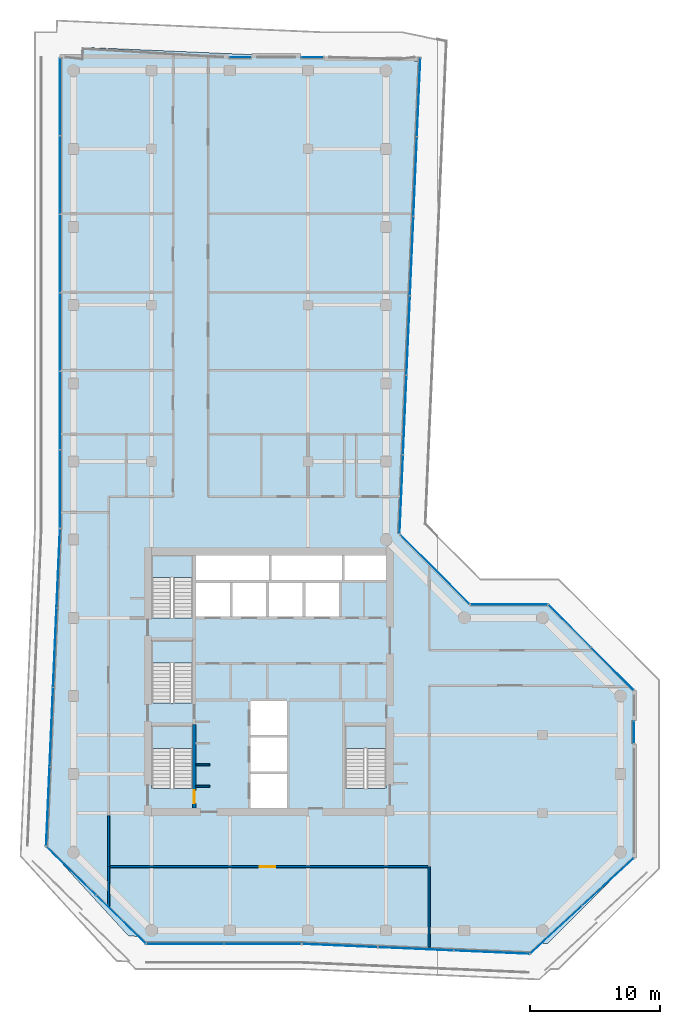
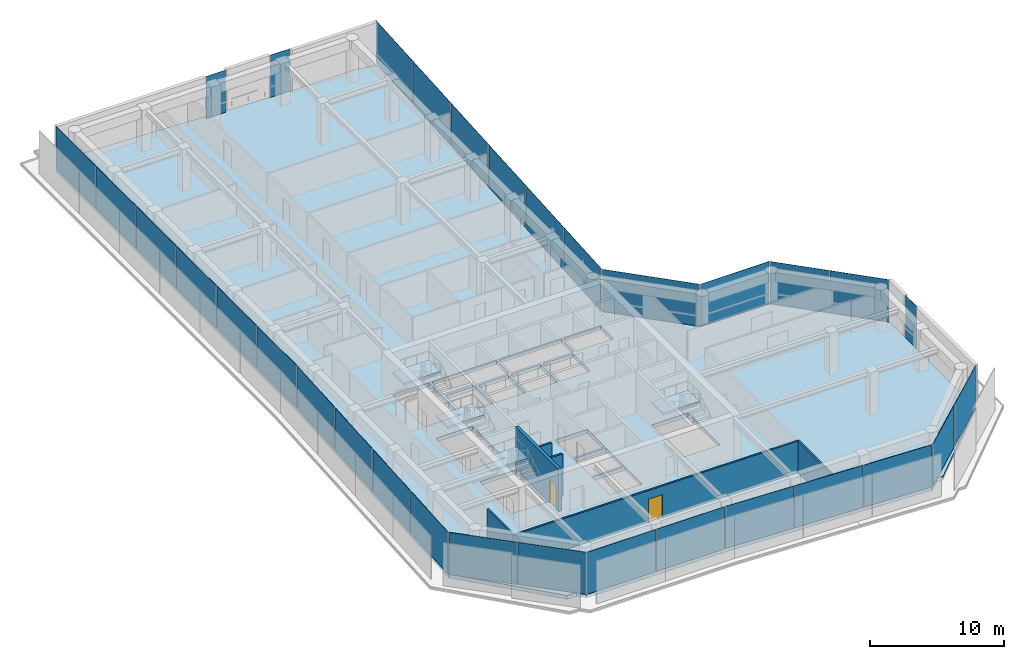
# One storey, part 16 of 21: 32 plates, 7 walls, 5 slabs, 2 doors, 2 openings, 17 elements without a shape of their own.
"""IFC4 building model written with IfcOpenShell, lengths in metres."""

from ifc_helpers import new_model, si_unit, direction, frame, frame_2d, origin, origin_2d, place, context, subcontext, project, spatial, polyline, rectangle, outline, extrude, material, layer, layer_set, type_object, element, fill, aggregate, save


model = new_model("IFC4")

# Units and contexts
model_context = context("Model", 3, precision=1e-05, world=origin(), true_north=direction((0.0, 1.0)))
body_context = subcontext(model_context, "Body", "Model", "MODEL_VIEW")
ifc_project = project(units=[si_unit("LENGTHUNIT", "METRE"), si_unit("AREAUNIT", "SQUARE_METRE"), si_unit("VOLUMEUNIT", "CUBIC_METRE"), si_unit("PLANEANGLEUNIT", "RADIAN"), si_unit("MASSUNIT", "GRAM", prefix="KILO")], contexts=[model_context])

# Site, building, storey
site_placement = place(None, origin())
site = spatial("IfcSite", under=ifc_project, at=site_placement, CompositionType="ELEMENT")
building_placement = place(site_placement, origin())
building = spatial("IfcBuilding", under=site, at=building_placement, Name="Welwitschia Terrace Campus", CompositionType="ELEMENT")
storey_placement = place(building_placement, frame((0.0, 0.0, 159.199951171875)))
storey = spatial("IfcBuildingStorey", under=building, at=storey_placement, Name="L35", CompositionType="ELEMENT", Elevation=159.199951171875)

# Curtain wall, plates
ifc_material_1 = material(Name="Bronze anodised aluminium", Category="aluminium")
ifc_layer_1 = layer(ifc_material_1, 0.1201171875)
ifc_layer_set_1 = layer_set([ifc_layer_1], Name="Bronze anodised aluminium")
curtain_wall_type = type_object("IfcCurtainWallType", Name="Curtain wall CW2 tower 6000", PredefinedType="NOTDEFINED", material=ifc_layer_set_1)
curtain_wall_1_placement = place(storey_placement, origin())
curtain_wall_1 = element("IfcCurtainWall", 1, at=curtain_wall_1_placement, inside=storey, type_object=curtain_wall_type, Name="CW L35.0.0", PredefinedType="NOTDEFINED")
ifc_material_2 = material(Name="Tinted bronze-grey glass", Category="glass")
ifc_layer_2 = layer(ifc_material_2, 0.028076171875)
ifc_layer_set_2 = layer_set([ifc_layer_2], Name="Tinted bronze-grey glass")
plate_type = type_object("IfcPlateType", Name="Glass panel 28 tinted", PredefinedType="CURTAIN_PANEL", material=ifc_layer_set_2)
plate_1_placement = place(storey_placement, frame((-1.1640625, 23.800048828125, 0.0), z_axis=(0.0, 0.0, 1.0), x_axis=(-0.043619387365, -0.999048221582, 0.0)))
plate_1 = element("IfcPlate", 2, at=plate_1_placement, type_object=plate_type, Name="Panel L35.0.0.0", PredefinedType="CURTAIN_PANEL", context=body_context, shape_type="SweptSolid", body=[
    extrude(rectangle(XDim=6.02392578125, YDim=0.028076171875, at=origin_2d()), origin(), (0.0, 0.0, 1.0), 3.85009765625),
])
plate_2_placement = place(storey_placement, frame((-1.429931640625, 17.706787109375, 0.0), z_axis=(0.0, 0.0, 1.0), x_axis=(-0.043619387365, -0.999048221582, 0.0)))
plate_2 = element("IfcPlate", 3, at=plate_2_placement, type_object=plate_type, Name="Panel L35.0.0.1", PredefinedType="CURTAIN_PANEL", context=body_context, shape_type="SweptSolid", body=[
    extrude(rectangle(XDim=6.053955078125, YDim=0.028076171875, at=origin_2d()), origin(), (0.0, 0.0, 1.0), 3.85009765625),
])
plate_3_placement = place(storey_placement, frame((-1.69677734375, 11.5986328125, 0.0), z_axis=(0.0, 0.0, 1.0), x_axis=(-0.043619387365, -0.999048221582, 0.0)))
plate_3 = element("IfcPlate", 4, at=plate_3_placement, type_object=plate_type, Name="Panel L35.0.0.2", PredefinedType="CURTAIN_PANEL", context=body_context, shape_type="SweptSolid", body=[
    extrude(rectangle(XDim=6.053955078125, YDim=0.028076171875, at=origin_2d()), origin(), (0.0, 0.0, 1.0), 3.85009765625),
])
plate_4_placement = place(storey_placement, frame((-1.962646484375, 5.505615234375, 0.0), z_axis=(0.0, 0.0, 1.0), x_axis=(-0.043619387365, -0.999048221582, 0.0)))
plate_4 = element("IfcPlate", 5, at=plate_4_placement, type_object=plate_type, Name="Panel L35.0.0.3", PredefinedType="CURTAIN_PANEL", context=body_context, shape_type="SweptSolid", body=[
    extrude(rectangle(XDim=6.02392578125, YDim=0.028076171875, at=origin_2d()), origin(), (0.0, 0.0, 1.0), 3.85009765625),
])
aggregate(curtain_wall_1, [plate_1, plate_2, plate_3, plate_4])

curtain_wall_2_placement = place(storey_placement, origin())
curtain_wall_2 = element("IfcCurtainWall", 6, at=curtain_wall_2_placement, inside=storey, type_object=curtain_wall_type, Name="CW L35.1.0", PredefinedType="NOTDEFINED")
plate_5_placement = place(storey_placement, frame((-0.16845703125, 0.559326171875, 0.0), z_axis=(0.0, 0.0, 1.0), x_axis=(0.716555959445, -0.697529610112, 0.0)))
plate_5 = element("IfcPlate", 7, at=plate_5_placement, type_object=plate_type, Name="Panel L35.1.0.0", PredefinedType="CURTAIN_PANEL", context=body_context, shape_type="SweptSolid", body=[
    extrude(rectangle(XDim=5.261962890625, YDim=0.028076171875, at=origin_2d()), origin(), (0.0, 0.0, 1.0), 3.85009765625),
])
plate_6_placement = place(storey_placement, frame((3.64501953125, -3.15283203125, 0.0), z_axis=(0.0, 0.0, 1.0), x_axis=(0.716555959445, -0.697529610112, 0.0)))
plate_6 = element("IfcPlate", 8, at=plate_6_placement, type_object=plate_type, Name="Panel L35.1.0.1", PredefinedType="CURTAIN_PANEL", context=body_context, shape_type="SweptSolid", body=[
    extrude(rectangle(XDim=5.261962890625, YDim=0.028076171875, at=origin_2d()), origin(), (0.0, 0.0, 1.0), 3.85009765625),
])
aggregate(curtain_wall_2, [plate_5, plate_6])

curtain_wall_3_placement = place(storey_placement, origin())
curtain_wall_3 = element("IfcCurtainWall", 9, at=curtain_wall_3_placement, inside=storey, type_object=curtain_wall_type, Name="CW L35.2.0", PredefinedType="NOTDEFINED")
plate_7_placement = place(storey_placement, frame((8.576904296875, -5.030029296875, 0.0), z_axis=(0.0, 0.0, 1.0), x_axis=(1.0, 0.0, 0.0)))
plate_7 = element("IfcPlate", 10, at=plate_7_placement, type_object=plate_type, Name="Panel L35.2.0.0", PredefinedType="CURTAIN_PANEL", context=body_context, shape_type="SweptSolid", body=[
    extrude(rectangle(XDim=5.886962890625, YDim=0.028076171875, at=origin_2d()), origin(), (0.0, 0.0, 1.0), 3.85009765625),
])
plate_8_placement = place(storey_placement, frame((14.523681640625, -5.030029296875, 0.0), z_axis=(0.0, 0.0, 1.0), x_axis=(1.0, 0.0, 0.0)))
plate_8 = element("IfcPlate", 11, at=plate_8_placement, type_object=plate_type, Name="Panel L35.2.0.1", PredefinedType="CURTAIN_PANEL", context=body_context, shape_type="SweptSolid", body=[
    extrude(rectangle(XDim=5.886962890625, YDim=0.028076171875, at=origin_2d()), origin(), (0.0, 0.0, 1.0), 3.85009765625),
])
aggregate(curtain_wall_3, [plate_7, plate_8])

curtain_wall_4_placement = place(storey_placement, origin())
curtain_wall_4 = element("IfcCurtainWall", 12, at=curtain_wall_4_placement, inside=storey, type_object=curtain_wall_type, Name="CW L35.3.0", PredefinedType="NOTDEFINED")
plate_9_placement = place(storey_placement, frame((20.46044921875, -5.157958984375, 0.0), z_axis=(0.0, 0.0, 1.0), x_axis=(0.999048221582, -0.043619387365, 0.0)))
plate_9 = element("IfcPlate", 13, at=plate_9_placement, type_object=plate_type, Name="Panel L35.3.0.0", PredefinedType="CURTAIN_PANEL", context=body_context, shape_type="SweptSolid", body=[
    extrude(rectangle(XDim=5.751953125, YDim=0.028076171875, at=origin_2d()), origin(), (0.0, 0.0, 1.0), 3.85009765625),
])
plate_10_placement = place(storey_placement, frame((26.28173828125, -5.412109375, 0.0), z_axis=(0.0, 0.0, 1.0), x_axis=(0.999048221582, -0.043619387365, 0.0)))
plate_10 = element("IfcPlate", 14, at=plate_10_placement, type_object=plate_type, Name="Panel L35.3.0.1", PredefinedType="CURTAIN_PANEL", context=body_context, shape_type="SweptSolid", body=[
    extrude(rectangle(XDim=5.781982421875, YDim=0.028076171875, at=origin_2d()), origin(), (0.0, 0.0, 1.0), 3.85009765625),
])
plate_11_placement = place(storey_placement, frame((32.10302734375, -5.66650390625, 0.0), z_axis=(0.0, 0.0, 1.0), x_axis=(0.999048221582, -0.043619387365, 0.0)))
plate_11 = element("IfcPlate", 15, at=plate_11_placement, type_object=plate_type, Name="Panel L35.3.0.2", PredefinedType="CURTAIN_PANEL", context=body_context, shape_type="SweptSolid", body=[
    extrude(rectangle(XDim=5.751953125, YDim=0.028076171875, at=origin_2d()), origin(), (0.0, 0.0, 1.0), 3.85009765625),
])
aggregate(curtain_wall_4, [plate_9, plate_10, plate_11])

curtain_wall_5_placement = place(storey_placement, origin())
curtain_wall_5 = element("IfcCurtainWall", 16, at=curtain_wall_5_placement, inside=storey, type_object=curtain_wall_type, Name="CW L35.4.0", PredefinedType="NOTDEFINED")
plate_12_placement = place(storey_placement, frame((37.045654296875, -3.9423828125, 0.0), z_axis=(0.0, 0.0, 1.0), x_axis=(0.735310822995, 0.677730030017, 0.0)))
plate_12 = element("IfcPlate", 17, at=plate_12_placement, type_object=plate_type, Name="Panel L35.4.0.0", PredefinedType="CURTAIN_PANEL", context=body_context, shape_type="SweptSolid", body=[
    extrude(rectangle(XDim=5.345703125, YDim=0.028076171875, at=origin_2d()), origin(), (0.0, 0.0, 1.0), 3.85009765625),
])
plate_13_placement = place(storey_placement, frame((41.0205078125, -0.27880859375, 0.0), z_axis=(0.0, 0.0, 1.0), x_axis=(0.735310822995, 0.677730030017, 0.0)))
plate_13 = element("IfcPlate", 18, at=plate_13_placement, type_object=plate_type, Name="Panel L35.4.0.1", PredefinedType="CURTAIN_PANEL", context=body_context, shape_type="SweptSolid", body=[
    extrude(rectangle(XDim=5.345703125, YDim=0.028076171875, at=origin_2d()), origin(), (0.0, 0.0, 1.0), 3.85009765625),
])
aggregate(curtain_wall_5, [plate_12, plate_13])

# Curtain wall, plate
curtain_wall_6_placement = place(storey_placement, origin())
curtain_wall_6 = element("IfcCurtainWall", 19, at=curtain_wall_6_placement, inside=storey, type_object=curtain_wall_type, Name="CW L35.5.S0", PredefinedType="NOTDEFINED")
plate_14_placement = place(storey_placement, frame((43.030029296875, 11.21337890625, 0.0), z_axis=(0.0, 0.0, 1.0), x_axis=(0.0, 1.0, 0.0)))
plate_14 = element("IfcPlate", 20, at=plate_14_placement, type_object=plate_type, Name="Panel L35.5.S0.0", PredefinedType="CURTAIN_PANEL", context=body_context, shape_type="SweptSolid", body=[
    extrude(rectangle(XDim=1.679931640625, YDim=0.028076171875, at=origin_2d()), origin(), (0.0, 0.0, 1.0), 3.85009765625),
])
aggregate(curtain_wall_6, [plate_14])

# Curtain wall, plates
curtain_wall_7_placement = place(storey_placement, origin())
curtain_wall_7 = element("IfcCurtainWall", 21, at=curtain_wall_7_placement, inside=storey, type_object=curtain_wall_type, Name="CW L35.6.0", PredefinedType="NOTDEFINED")
plate_15_placement = place(storey_placement, frame((41.36865234375, 16.088134765625, 0.0), z_axis=(0.0, 0.0, 1.0), x_axis=(-0.707106781187, 0.707106781187, 0.0)))
plate_15 = element("IfcPlate", 22, at=plate_15_placement, type_object=plate_type, Name="Panel L35.6.0.0", PredefinedType="CURTAIN_PANEL", context=body_context, shape_type="SweptSolid", body=[
    extrude(rectangle(XDim=4.579345703125, YDim=0.028076171875, at=origin_2d()), origin(), (0.0, 0.0, 1.0), 3.85009765625),
])
plate_16_placement = place(storey_placement, frame((38.088134765625, 19.36865234375, 0.0), z_axis=(0.0, 0.0, 1.0), x_axis=(-0.707106781187, 0.707106781187, 0.0)))
plate_16 = element("IfcPlate", 23, at=plate_16_placement, type_object=plate_type, Name="Panel L35.6.0.1", PredefinedType="CURTAIN_PANEL", context=body_context, shape_type="SweptSolid", body=[
    extrude(rectangle(XDim=4.579345703125, YDim=0.028076171875, at=origin_2d()), origin(), (0.0, 0.0, 1.0), 3.85009765625),
])
aggregate(curtain_wall_7, [plate_15, plate_16])

# Curtain wall, plate
curtain_wall_8_placement = place(storey_placement, origin())
curtain_wall_8 = element("IfcCurtainWall", 24, at=curtain_wall_8_placement, inside=storey, type_object=curtain_wall_type, Name="CW L35.7.0", PredefinedType="NOTDEFINED")
plate_17_placement = place(storey_placement, frame((33.4267578125, 21.030029296875, 0.0), z_axis=(0.0, 0.0, 1.0), x_axis=(-1.0, 0.0, 0.0)))
plate_17 = element("IfcPlate", 25, at=plate_17_placement, type_object=plate_type, Name="Panel L35.7.0.0", PredefinedType="CURTAIN_PANEL", context=body_context, shape_type="SweptSolid", body=[
    extrude(rectangle(XDim=5.8798828125, YDim=0.028076171875, at=origin_2d()), origin(), (0.0, 0.0, 1.0), 3.85009765625),
])
aggregate(curtain_wall_8, [plate_17])

curtain_wall_9_placement = place(storey_placement, origin())
curtain_wall_9 = element("IfcCurtainWall", 26, at=curtain_wall_9_placement, inside=storey, type_object=curtain_wall_type, Name="CW L35.8.0", PredefinedType="NOTDEFINED")
plate_18_placement = place(storey_placement, frame((27.73095703125, 23.7255859375, 0.0), z_axis=(0.0, 0.0, 1.0), x_axis=(-0.707106781187, 0.707106781187, 0.0)))
plate_18 = element("IfcPlate", 27, at=plate_18_placement, type_object=plate_type, Name="Panel L35.8.0.0", PredefinedType="CURTAIN_PANEL", context=body_context, shape_type="SweptSolid", body=[
    extrude(rectangle(XDim=7.504638671875, YDim=0.028076171875, at=origin_2d()), origin(), (0.0, 0.0, 1.0), 3.85009765625),
])
aggregate(curtain_wall_9, [plate_18])

# Curtain wall, plates
curtain_wall_10_placement = place(storey_placement, origin())
curtain_wall_10 = element("IfcCurtainWall", 28, at=curtain_wall_10_placement, inside=storey, type_object=curtain_wall_type, Name="CW L35.9.0", PredefinedType="NOTDEFINED")
plate_19_placement = place(storey_placement, frame((25.169189453125, 29.487060546875, 0.0), z_axis=(0.0, 0.0, 1.0), x_axis=(0.043619387365, 0.999048221582, 0.0)))
plate_19 = element("IfcPlate", 29, at=plate_19_placement, type_object=plate_type, Name="Panel L35.9.0.0", PredefinedType="CURTAIN_PANEL", context=body_context, shape_type="SweptSolid", body=[
    extrude(rectangle(XDim=6.017333984375, YDim=0.028076171875, at=origin_2d()), origin(), (0.0, 0.0, 1.0), 3.85009765625),
])
plate_20_placement = place(storey_placement, frame((25.434814453125, 35.573486328125, 0.0), z_axis=(0.0, 0.0, 1.0), x_axis=(0.043619387365, 0.999048221582, 0.0)))
plate_20 = element("IfcPlate", 30, at=plate_20_placement, type_object=plate_type, Name="Panel L35.9.0.1", PredefinedType="CURTAIN_PANEL", context=body_context, shape_type="SweptSolid", body=[
    extrude(rectangle(XDim=6.04736328125, YDim=0.028076171875, at=origin_2d()), origin(), (0.0, 0.0, 1.0), 3.85009765625),
])
plate_21_placement = place(storey_placement, frame((25.701171875, 41.675048828125, 0.0), z_axis=(0.0, 0.0, 1.0), x_axis=(0.043619387365, 0.999048221582, 0.0)))
plate_21 = element("IfcPlate", 31, at=plate_21_placement, type_object=plate_type, Name="Panel L35.9.0.2", PredefinedType="CURTAIN_PANEL", context=body_context, shape_type="SweptSolid", body=[
    extrude(rectangle(XDim=6.04736328125, YDim=0.028076171875, at=origin_2d()), origin(), (0.0, 0.0, 1.0), 3.85009765625),
])
plate_22_placement = place(storey_placement, frame((25.9677734375, 47.7763671875, 0.0), z_axis=(0.0, 0.0, 1.0), x_axis=(0.043619387365, 0.999048221582, 0.0)))
plate_22 = element("IfcPlate", 32, at=plate_22_placement, type_object=plate_type, Name="Panel L35.9.0.3", PredefinedType="CURTAIN_PANEL", context=body_context, shape_type="SweptSolid", body=[
    extrude(rectangle(XDim=6.04736328125, YDim=0.028076171875, at=origin_2d()), origin(), (0.0, 0.0, 1.0), 3.85009765625),
])
plate_23_placement = place(storey_placement, frame((26.234130859375, 53.8779296875, 0.0), z_axis=(0.0, 0.0, 1.0), x_axis=(0.043619387365, 0.999048221582, 0.0)))
plate_23 = element("IfcPlate", 33, at=plate_23_placement, type_object=plate_type, Name="Panel L35.9.0.4", PredefinedType="CURTAIN_PANEL", context=body_context, shape_type="SweptSolid", body=[
    extrude(rectangle(XDim=6.04736328125, YDim=0.028076171875, at=origin_2d()), origin(), (0.0, 0.0, 1.0), 3.85009765625),
])
plate_24_placement = place(storey_placement, frame((26.499755859375, 59.96435546875, 0.0), z_axis=(0.0, 0.0, 1.0), x_axis=(0.043619387365, 0.999048221582, 0.0)))
plate_24 = element("IfcPlate", 34, at=plate_24_placement, type_object=plate_type, Name="Panel L35.9.0.5", PredefinedType="CURTAIN_PANEL", context=body_context, shape_type="SweptSolid", body=[
    extrude(rectangle(XDim=6.017333984375, YDim=0.028076171875, at=origin_2d()), origin(), (0.0, 0.0, 1.0), 3.85009765625),
])
aggregate(curtain_wall_10, [plate_19, plate_20, plate_21, plate_22, plate_23, plate_24])

# Curtain wall, plate
curtain_wall_11_placement = place(storey_placement, origin())
curtain_wall_11 = element("IfcCurtainWall", 35, at=curtain_wall_11_placement, inside=storey, type_object=curtain_wall_type, Name="CW L35.10.S0", PredefinedType="NOTDEFINED")
plate_25_placement = place(storey_placement, frame((18.33447265625, 63.030029296875, 0.0), z_axis=(0.0, 0.0, 1.0), x_axis=(-1.0, 0.0, 0.0)))
plate_25 = element("IfcPlate", 36, at=plate_25_placement, type_object=plate_type, Name="Panel L35.10.S0.0", PredefinedType="CURTAIN_PANEL", context=body_context, shape_type="SweptSolid", body=[
    extrude(rectangle(XDim=1.679931640625, YDim=0.028076171875, at=origin_2d()), origin(), (0.0, 0.0, 1.0), 3.85009765625),
])
aggregate(curtain_wall_11, [plate_25])

curtain_wall_12_placement = place(storey_placement, origin())
curtain_wall_12 = element("IfcCurtainWall", 37, at=curtain_wall_12_placement, inside=storey, type_object=curtain_wall_type, Name="CW L35.10.S1", PredefinedType="NOTDEFINED")
plate_26_placement = place(storey_placement, frame((12.8017578125, 63.030029296875, 0.0), z_axis=(0.0, 0.0, 1.0), x_axis=(-1.0, 0.0, 0.0)))
plate_26 = element("IfcPlate", 38, at=plate_26_placement, type_object=plate_type, Name="Panel L35.10.S1.0", PredefinedType="CURTAIN_PANEL", context=body_context, shape_type="SweptSolid", body=[
    extrude(rectangle(XDim=1.679931640625, YDim=0.028076171875, at=origin_2d()), origin(), (0.0, 0.0, 1.0), 3.85009765625),
])
aggregate(curtain_wall_12, [plate_26])

# Curtain wall, plates
curtain_wall_13_placement = place(storey_placement, origin())
curtain_wall_13 = element("IfcCurtainWall", 39, at=curtain_wall_13_placement, inside=storey, type_object=curtain_wall_type, Name="CW L35.11.0", PredefinedType="NOTDEFINED")
plate_27_placement = place(storey_placement, frame((-1.030029296875, 60.001708984375, 0.0), z_axis=(0.0, 0.0, 1.0), x_axis=(0.0, -1.0, 0.0)))
plate_27 = element("IfcPlate", 40, at=plate_27_placement, type_object=plate_type, Name="Panel L35.11.0.0", PredefinedType="CURTAIN_PANEL", context=body_context, shape_type="SweptSolid", body=[
    extrude(rectangle(XDim=5.936767578125, YDim=0.028076171875, at=origin_2d()), origin(), (0.0, 0.0, 1.0), 3.85009765625),
])
plate_28_placement = place(storey_placement, frame((-1.030029296875, 53.98974609375, 0.0), z_axis=(0.0, 0.0, 1.0), x_axis=(0.0, -1.0, 0.0)))
plate_28 = element("IfcPlate", 41, at=plate_28_placement, type_object=plate_type, Name="Panel L35.11.0.1", PredefinedType="CURTAIN_PANEL", context=body_context, shape_type="SweptSolid", body=[
    extrude(rectangle(XDim=5.966796875, YDim=0.028076171875, at=origin_2d()), origin(), (0.0, 0.0, 1.0), 3.85009765625),
])
plate_29_placement = place(storey_placement, frame((-1.030029296875, 47.962890625, 0.0), z_axis=(0.0, 0.0, 1.0), x_axis=(0.0, -1.0, 0.0)))
plate_29 = element("IfcPlate", 42, at=plate_29_placement, type_object=plate_type, Name="Panel L35.11.0.2", PredefinedType="CURTAIN_PANEL", context=body_context, shape_type="SweptSolid", body=[
    extrude(rectangle(XDim=5.966796875, YDim=0.028076171875, at=origin_2d()), origin(), (0.0, 0.0, 1.0), 3.85009765625),
])
plate_30_placement = place(storey_placement, frame((-1.030029296875, 41.93603515625, 0.0), z_axis=(0.0, 0.0, 1.0), x_axis=(0.0, -1.0, 0.0)))
plate_30 = element("IfcPlate", 43, at=plate_30_placement, type_object=plate_type, Name="Panel L35.11.0.3", PredefinedType="CURTAIN_PANEL", context=body_context, shape_type="SweptSolid", body=[
    extrude(rectangle(XDim=5.966796875, YDim=0.028076171875, at=origin_2d()), origin(), (0.0, 0.0, 1.0), 3.85009765625),
])
plate_31_placement = place(storey_placement, frame((-1.030029296875, 35.909423828125, 0.0), z_axis=(0.0, 0.0, 1.0), x_axis=(0.0, -1.0, 0.0)))
plate_31 = element("IfcPlate", 44, at=plate_31_placement, type_object=plate_type, Name="Panel L35.11.0.4", PredefinedType="CURTAIN_PANEL", context=body_context, shape_type="SweptSolid", body=[
    extrude(rectangle(XDim=5.966796875, YDim=0.028076171875, at=origin_2d()), origin(), (0.0, 0.0, 1.0), 3.85009765625),
])
plate_32_placement = place(storey_placement, frame((-1.030029296875, 29.8974609375, 0.0), z_axis=(0.0, 0.0, 1.0), x_axis=(0.0, -1.0, 0.0)))
plate_32 = element("IfcPlate", 45, at=plate_32_placement, type_object=plate_type, Name="Panel L35.11.0.5", PredefinedType="CURTAIN_PANEL", context=body_context, shape_type="SweptSolid", body=[
    extrude(rectangle(XDim=5.936767578125, YDim=0.028076171875, at=origin_2d()), origin(), (0.0, 0.0, 1.0), 3.85009765625),
])
aggregate(curtain_wall_13, [plate_27, plate_28, plate_29, plate_30, plate_31, plate_32])

# Stair, slab
ifc_material_3 = material(Name="Concrete C40/50", Category="concrete")
stair_type = type_object("IfcStairType", Name="Stair 24R 175 W1500", PredefinedType="HALF_TURN_STAIR", material=ifc_material_3)
stair_1_placement = place(storey_placement, origin())
stair_1 = element("IfcStair", 46, at=stair_1_placement, inside=storey, type_object=stair_type, Name="L35 Exit stair S1", PredefinedType="HALF_TURN_STAIR")
ifc_material_4 = material(Name="Concrete C40/50", Category="concrete")
ifc_layer_3 = layer(ifc_material_4, 0.199951171875)
ifc_layer_set_3 = layer_set([ifc_layer_3], Name="Concrete C40/50")
slab_type_1 = type_object("IfcSlabType", Name="Stair landing RC", PredefinedType="LANDING", material=ifc_layer_set_3)
slab_1_placement = place(storey_placement, frame((0.0, 0.0, 1.900146484375)))
slab_1 = element("IfcSlab", 47, at=slab_1_placement, type_object=slab_type_1, Name="S1 landing 1", PredefinedType="LANDING", context=body_context, shape_type="SweptSolid", body=[
    extrude(outline(polyline([(9.14990234375, 9.97998046875), (9.14990234375, 11.699951171875), (6.0, 11.699951171875), (6.0, 9.97998046875), (9.14990234375, 9.97998046875)])), origin(), (0.0, 0.0, 1.0), 0.199951171875),
])
aggregate(stair_1, [slab_1])

stair_2_placement = place(storey_placement, origin())
stair_2 = element("IfcStair", 48, at=stair_2_placement, inside=storey, type_object=stair_type, Name="L35 Exit stair S3", PredefinedType="HALF_TURN_STAIR")
slab_2_placement = place(storey_placement, frame((0.0, 0.0, 1.900146484375)))
slab_2 = element("IfcSlab", 49, at=slab_2_placement, type_object=slab_type_1, Name="S3 landing 1", PredefinedType="LANDING", context=body_context, shape_type="SweptSolid", body=[
    extrude(outline(polyline([(9.14990234375, 16.530029296875), (9.14990234375, 18.25), (6.0, 18.25), (6.0, 16.530029296875), (9.14990234375, 16.530029296875)])), origin(), (0.0, 0.0, 1.0), 0.199951171875),
])
aggregate(stair_2, [slab_2])

stair_3_placement = place(storey_placement, origin())
stair_3 = element("IfcStair", 50, at=stair_3_placement, inside=storey, type_object=stair_type, Name="L35 Exit stair S4", PredefinedType="HALF_TURN_STAIR")
slab_3_placement = place(storey_placement, frame((0.0, 0.0, 1.900146484375)))
slab_3 = element("IfcSlab", 51, at=slab_3_placement, type_object=slab_type_1, Name="S4 landing 1", PredefinedType="LANDING", context=body_context, shape_type="SweptSolid", body=[
    extrude(outline(polyline([(9.14990234375, 23.080078125), (9.14990234375, 24.800048828125), (6.0, 24.800048828125), (6.0, 23.080078125), (9.14990234375, 23.080078125)])), origin(), (0.0, 0.0, 1.0), 0.199951171875),
])
aggregate(stair_3, [slab_3])

stair_4_placement = place(storey_placement, origin())
stair_4 = element("IfcStair", 52, at=stair_4_placement, inside=storey, type_object=stair_type, Name="L35 Exit stair S2", PredefinedType="HALF_TURN_STAIR")
slab_4_placement = place(storey_placement, frame((0.0, 0.0, 1.900146484375)))
slab_4 = element("IfcSlab", 53, at=slab_4_placement, type_object=slab_type_1, Name="S2 landing 1", PredefinedType="LANDING", context=body_context, shape_type="SweptSolid", body=[
    extrude(outline(polyline([(24.0, 9.97998046875), (24.0, 11.699951171875), (20.85009765625, 11.699951171875), (20.85009765625, 9.97998046875), (24.0, 9.97998046875)])), origin(), (0.0, 0.0, 1.0), 0.199951171875),
])
aggregate(stair_4, [slab_4])

# Slab
ifc_material_5 = material(Name="Concrete C40/50", Category="concrete")
ifc_layer_4 = layer(ifc_material_5, 0.35009765625)
ifc_layer_set_4 = layer_set([ifc_layer_4], Name="Concrete C40/50")
slab_type_2 = type_object("IfcSlabType", Name="Suspended floor slab 350", PredefinedType="FLOOR", material=ifc_layer_set_4)
slab_5_placement = place(storey_placement, frame((0.0, 0.0, -0.349853515625)))
element("IfcSlab", 54, at=slab_5_placement, inside=storey, type_object=slab_type_2, Name="Floor slab L35", PredefinedType="FLOOR", context=body_context, shape_type="SweptSolid", body=[
    extrude(outline(polyline([(0.57763671875, 63.0), (0.612548828125, 63.80322265625), (19.01171875, 63.0), (25.0, 63.0), (26.587890625, 62.669189453125), (25.004638671875, 26.409423828125), (30.414306640625, 21.0), (36.414306640625, 21.0), (43.0, 14.414306640625), (43.0, 1.585693359375), (36.414306640625, -5.0), (35.85888671875, -5.0), (35.025146484375, -5.763916015625), (17.52783203125, -5.0), (5.585693359375, -5.0), (5.04052734375, -4.454833984375), (4.22607421875, -4.419189453125), (-2.066162109375, 2.447509765625), (-1.0, 26.868408203125), (-1.0, 63.0), (0.57763671875, 63.0)]), holes=[polyline([(13.60009765625, 8.0), (13.60009765625, 5.39990234375), (16.39990234375, 5.39990234375), (16.39990234375, 8.0), (13.60009765625, 8.0)]), polyline([(9.14990234375, 11.699951171875), (6.0, 11.699951171875), (6.0, 6.902099609375), (9.14990234375, 6.902099609375), (9.14990234375, 11.699951171875)]), polyline([(9.14990234375, 18.25), (6.0, 18.25), (6.0, 13.451904296875), (9.14990234375, 13.451904296875), (9.14990234375, 18.25)]), polyline([(12.0, 22.699951171875), (9.39990234375, 22.699951171875), (9.39990234375, 20.10009765625), (12.0, 20.10009765625), (12.0, 22.699951171875)]), polyline([(14.800048828125, 22.699951171875), (12.199951171875, 22.699951171875), (12.199951171875, 20.10009765625), (14.800048828125, 20.10009765625), (14.800048828125, 22.699951171875)]), polyline([(9.14990234375, 24.800048828125), (6.0, 24.800048828125), (6.0, 20.001953125), (9.14990234375, 20.001953125), (9.14990234375, 24.800048828125)]), polyline([(15.0, 24.800048828125), (9.39990234375, 24.800048828125), (9.39990234375, 22.89990234375), (15.0, 22.89990234375), (15.0, 24.800048828125)]), polyline([(20.85009765625, 11.699951171875), (20.85009765625, 6.902099609375), (24.0, 6.902099609375), (24.0, 11.699951171875), (20.85009765625, 11.699951171875)]), polyline([(16.39990234375, 10.800048828125), (13.60009765625, 10.800048828125), (13.60009765625, 8.199951171875), (16.39990234375, 8.199951171875), (16.39990234375, 10.800048828125)]), polyline([(16.39990234375, 13.60009765625), (13.60009765625, 13.60009765625), (13.60009765625, 11.0), (16.39990234375, 11.0), (16.39990234375, 13.60009765625)]), polyline([(17.60009765625, 22.699951171875), (15.0, 22.699951171875), (15.0, 20.10009765625), (17.60009765625, 20.10009765625), (17.60009765625, 22.699951171875)]), polyline([(20.39990234375, 22.699951171875), (17.800048828125, 22.699951171875), (17.800048828125, 20.10009765625), (20.39990234375, 20.10009765625), (20.39990234375, 22.699951171875)]), polyline([(20.60009765625, 24.800048828125), (15.199951171875, 24.800048828125), (15.199951171875, 22.89990234375), (20.60009765625, 22.89990234375), (20.60009765625, 24.800048828125)]), polyline([(24.0, 24.800048828125), (20.800048828125, 24.800048828125), (20.800048828125, 22.89990234375), (24.0, 22.89990234375), (24.0, 24.800048828125)])]), origin(), (0.0, 0.0, 1.0), 0.349853515625),
])

# Walls
ifc_material_6 = material(Name="Concrete C50/60", Category="concrete")
ifc_layer_5 = layer(ifc_material_6, 0.14990234375)
ifc_layer_set_5 = layer_set([ifc_layer_5], Name="Concrete C50/60")
wall_type_1 = type_object("IfcWallType", Name="Core wall 150 Concrete C50/60", PredefinedType="SHEAR", material=ifc_layer_set_5)
for number, where, z_axis, x_axis, name in (
    (55, (9.39990234375, 7.074951171875, 0.0), (0.0, 0.0, 1.0), (1.0, 0.0, 0.0), "Core wall"),
    (56, (9.39990234375, 8.72509765625, 0.0), (0.0, 0.0, 1.0), (1.0, 0.0, 0.0), "Core wall"),
):
    element("IfcWall", number, at=place(storey_placement, frame(where, z_axis=z_axis, x_axis=x_axis)), inside=storey, type_object=wall_type_1, Name=name, PredefinedType="SHEAR", context=body_context, shape_type="SweptSolid", body=[
        extrude(rectangle(XDim=1.050048828125, YDim=0.14990234375, at=frame_2d((0.52490234375, 0.0))), origin(), (0.0, 0.0, 1.0), 3.85009765625),
    ])

# Wall, opening, door
ifc_material_7 = material(Name="Concrete C50/60", Category="concrete")
ifc_layer_6 = layer(ifc_material_7, 0.25)
ifc_layer_set_6 = layer_set([ifc_layer_6], Name="Concrete C50/60")
wall_type_2 = type_object("IfcWallType", Name="Core wall 250 Concrete C50/60", PredefinedType="SHEAR", material=ifc_layer_set_6)
wall_1_placement = place(storey_placement, frame((9.27490234375, 11.824951171875, 0.0), z_axis=(0.0, 0.0, 1.0), x_axis=(0.0, -1.0, 0.0)))
wall_1 = element("IfcWall", 57, at=wall_1_placement, inside=storey, type_object=wall_type_2, Name="Core wall", PredefinedType="SHEAR", context=body_context, shape_type="SweptSolid", body=[
    extrude(rectangle(XDim=6.425048828125, YDim=0.25, at=frame_2d((3.21240234375, 0.0))), origin(), (0.0, 0.0, 1.0), 3.85009765625),
])
opening_1_placement = place(wall_1_placement, frame((5.074951171875, 0.0, 0.0)))
opening_1 = element("IfcOpeningElement", 58, at=opening_1_placement, cuts=wall_1, Name="Opening DS10", PredefinedType="OPENING", context=body_context, shape_type="SweptSolid", body=[
    extrude(rectangle(XDim=1.0, YDim=2.10009765625, at=frame_2d((0.5, 1.050048828125))), frame((0.0, 0.135009765625, 0.0), z_axis=(0.0, -1.0, 0.0), x_axis=(1.0, 0.0, 0.0)), (0.0, 0.0, 1.0), 0.27001953125),
])
ifc_material_8 = material(Name="Steel S275", Category="steel")
door_type_1 = type_object("IfcDoorType", Name="Core door DS10", OperationType="SINGLE_SWING_LEFT", PredefinedType="DOOR", material=ifc_material_8)
door_1_placement = place(opening_1_placement, origin())
door_1 = element("IfcDoor", 59, at=door_1_placement, inside=storey, type_object=door_type_1, Name="Door S1-FL", OperationType="SINGLE_SWING_RIGHT", OverallHeight=2.10009765625, OverallWidth=1.0, PredefinedType="DOOR", context=body_context, shape_type="SweptSolid", body=[
    extrude(rectangle(XDim=1.0, YDim=2.10009765625, at=frame_2d((0.5, 1.050048828125))), frame((0.0, 0.02490234375, 0.0), z_axis=(0.0, -1.0, 0.0), x_axis=(1.0, 0.0, 0.0)), (0.0, 0.0, 1.0), 0.050048828125),
])
fill(opening_1, door_1)

# Walls
ifc_material_9 = material(Name="Gypsum board on steel studs", Category="steel")
ifc_layer_7 = layer(ifc_material_9, 0.14990234375)
ifc_layer_set_7 = layer_set([ifc_layer_7], Name="Gypsum board on steel studs")
wall_type_3 = type_object("IfcWallType", Name="Corridor partition 150 EI 30", PredefinedType="PARTITIONING", material=ifc_layer_set_7)
wall_2_placement = place(storey_placement, frame((2.699951171875, -2.159912109375, 0.0), z_axis=(0.0, 0.0, 1.0), x_axis=(0.0, 1.0, 0.0)))
element("IfcWall", 60, at=wall_2_placement, inside=storey, type_object=wall_type_3, Name="Partition", PredefinedType="PARTITIONING", context=body_context, shape_type="SweptSolid", body=[
    extrude(rectangle(XDim=3.059814453125, YDim=0.14990234375, at=frame_2d((1.52978515625, 0.0))), origin(), (0.0, 0.0, 1.0), 2.880126953125),
])
wall_3_placement = place(storey_placement, frame((2.699951171875, 0.89990234375, 0.0), z_axis=(0.0, 0.0, 1.0), x_axis=(0.0, 1.0, 0.0)))
element("IfcWall", 61, at=wall_3_placement, inside=storey, type_object=wall_type_3, Name="Partition", PredefinedType="PARTITIONING", context=body_context, shape_type="SweptSolid", body=[
    extrude(rectangle(XDim=3.900146484375, YDim=0.14990234375, at=frame_2d((1.9501953125, 0.0))), origin(), (0.0, 0.0, 1.0), 2.880126953125),
])
wall_4_placement = place(storey_placement, frame((27.300048828125, -5.409912109375, 0.0), z_axis=(0.0, 0.0, 1.0), x_axis=(0.0, 1.0, 0.0)))
element("IfcWall", 62, at=wall_4_placement, inside=storey, type_object=wall_type_3, Name="Partition", PredefinedType="PARTITIONING", context=body_context, shape_type="SweptSolid", body=[
    extrude(rectangle(XDim=6.309814453125, YDim=0.14990234375, at=frame_2d((3.15478515625, 0.0))), origin(), (0.0, 0.0, 1.0), 2.880126953125),
])

# Wall, opening, door
wall_5_placement = place(storey_placement, frame((27.300048828125, 0.89990234375, 0.0), z_axis=(0.0, 0.0, 1.0), x_axis=(-1.0, 0.0, 0.0)))
wall_5 = element("IfcWall", 63, at=wall_5_placement, inside=storey, type_object=wall_type_3, Name="Partition", PredefinedType="PARTITIONING", context=body_context, shape_type="SweptSolid", body=[
    extrude(rectangle(XDim=24.60009765625, YDim=0.14990234375, at=frame_2d((12.300048828125, 0.0))), origin(), (0.0, 0.0, 1.0), 2.880126953125),
])
opening_2_placement = place(wall_5_placement, frame((11.800048828125, 0.0, 0.0)))
opening_2 = element("IfcOpeningElement", 64, at=opening_2_placement, cuts=wall_5, Name="Opening DI12", PredefinedType="OPENING", context=body_context, shape_type="SweptSolid", body=[
    extrude(rectangle(XDim=1.199951171875, YDim=2.10009765625, at=frame_2d((0.60009765625, 1.050048828125))), frame((0.0, 0.0849609375, 0.0), z_axis=(0.0, -1.0, 0.0), x_axis=(1.0, 0.0, 0.0)), (0.0, 0.0, 1.0), 0.169921875),
])
ifc_material_10 = material(Name="Timber veneered door", Category="wood")
door_type_2 = type_object("IfcDoorType", Name="Interior door DI12", OperationType="NOTDEFINED", PredefinedType="DOOR", material=ifc_material_10)
door_2_placement = place(opening_2_placement, origin())
door_2 = element("IfcDoor", 65, at=door_2_placement, inside=storey, type_object=door_type_2, Name="Door L35 723", OperationType="SINGLE_SWING_RIGHT", OverallHeight=2.10009765625, OverallWidth=1.199951171875, PredefinedType="DOOR", context=body_context, shape_type="SweptSolid", body=[
    extrude(rectangle(XDim=1.199951171875, YDim=2.10009765625, at=frame_2d((0.60009765625, 1.050048828125))), frame((0.0, 0.02490234375, 0.0), z_axis=(0.0, -1.0, 0.0), x_axis=(1.0, 0.0, 0.0)), (0.0, 0.0, 1.0), 0.050048828125),
])
fill(opening_2, door_2)

save(model, "model.ifc")
